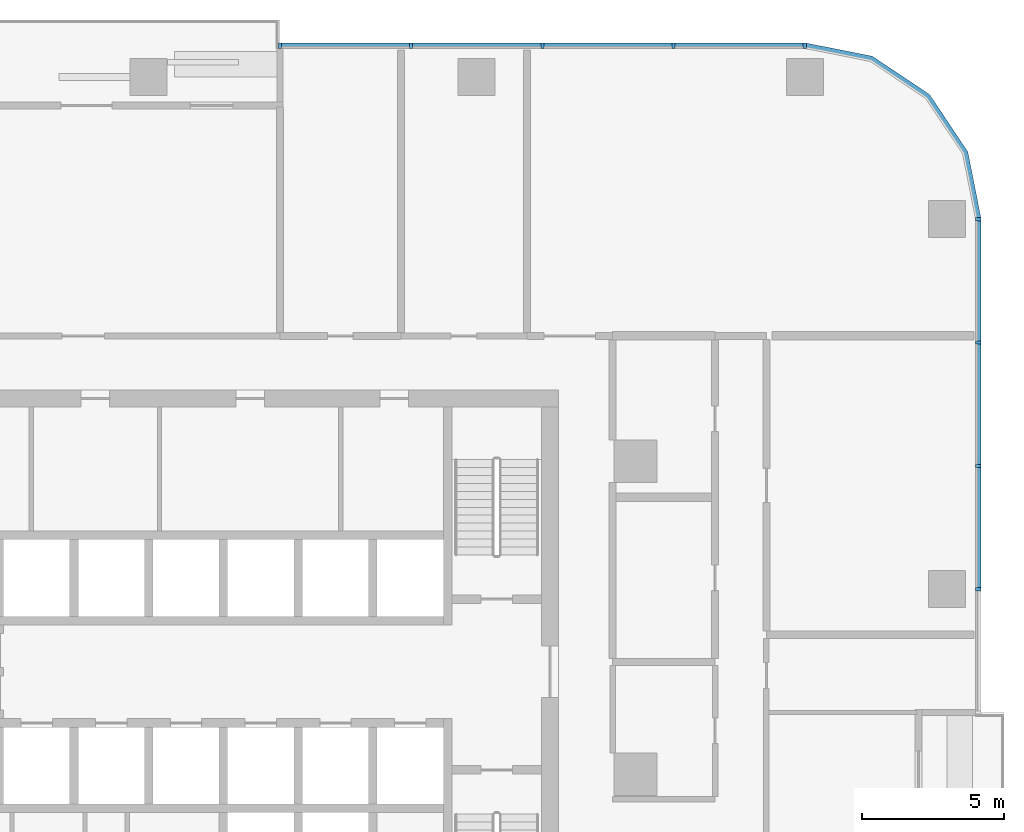
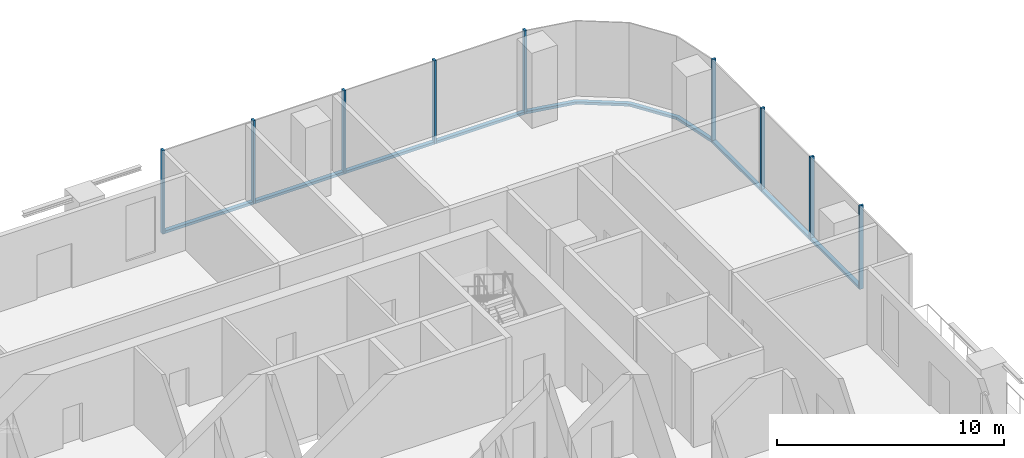
# One storey, part 5 of 14: 17 members, 3 elements without a shape of their own.
"""IFC4 building model written with IfcOpenShell, lengths in metres."""

from ifc_helpers import new_model, si_unit, direction, frame, origin, origin_2d, place, context, subcontext, project, spatial, polyline, rectangle, outline, extrude, material, material_profile, profile_set, type_object, element, aggregate, save


model = new_model("IFC4")

# Units and contexts
model_context = context("Model", 3, precision=1e-05, world=origin(), true_north=direction((0.0, 1.0)))
body_context = subcontext(model_context, "Body", "Model", "MODEL_VIEW")
ifc_project = project(units=[si_unit("LENGTHUNIT", "METRE"), si_unit("AREAUNIT", "SQUARE_METRE"), si_unit("VOLUMEUNIT", "CUBIC_METRE"), si_unit("PLANEANGLEUNIT", "RADIAN"), si_unit("MASSUNIT", "GRAM", prefix="KILO")], contexts=[model_context])

# Site, building, storey
site_placement = place(None, origin())
site = spatial("IfcSite", under=ifc_project, at=site_placement, CompositionType="ELEMENT")
building_placement = place(site_placement, origin())
building = spatial("IfcBuilding", under=site, at=building_placement, Name="Mopane Tessera Tower", CompositionType="ELEMENT")
storey_placement = place(building_placement, frame((0.0, 0.0, 130.60009765625)))
storey = spatial("IfcBuildingStorey", under=building, at=storey_placement, Name="L26", CompositionType="ELEMENT", Elevation=130.60009765625)

# Curtain wall, members
ifc_material_1 = material(Name="Aluminium frame", Category="aluminium")
curtain_wall_type = type_object("IfcCurtainWallType", Name="Lower tower unitised wall", PredefinedType="NOTDEFINED", material=ifc_material_1)
curtain_wall_1_placement = place(storey_placement, origin())
curtain_wall_1 = element("IfcCurtainWall", 1, at=curtain_wall_1_placement, inside=storey, type_object=curtain_wall_type, Name="e:cw:L26:E:5", PredefinedType="NOTDEFINED")
ifc_material_2 = material(Name="Aluminium frame", Category="aluminium")
ifc_material_profile_1 = material_profile(ifc_material_2, rectangle(XDim=0.110107421875, YDim=0.199951171875, at=origin_2d()))
ifc_profile_set_1 = profile_set([ifc_material_profile_1], Name="Aluminium frame")
member_type_1 = type_object("IfcMemberType", Name="Aluminium mullion 110 x 200", PredefinedType="MULLION", material=ifc_profile_set_1)
member_1_placement = place(storey_placement, frame((29.14990234375, 6.5, -0.4501953125), z_axis=(0.0, 0.0, 1.0), x_axis=(0.0, 1.0, 0.0)))
member_1 = element("IfcMember", 2, at=member_1_placement, type_object=member_type_1, Name="e:cw:L26:E:5:mu6", PredefinedType="MULLION", context=body_context, shape_type="SweptSolid", body=[
    extrude(rectangle(XDim=0.110107421875, YDim=0.199951171875, at=origin_2d()), origin(), (0.0, 0.0, 1.0), 4.5),
])
member_2_placement = place(storey_placement, frame((29.14990234375, 10.833251953125, -0.4501953125), z_axis=(0.0, 0.0, 1.0), x_axis=(0.0, 1.0, 0.0)))
member_2 = element("IfcMember", 3, at=member_2_placement, type_object=member_type_1, Name="e:cw:L26:E:5:mu7", PredefinedType="MULLION", context=body_context, shape_type="SweptSolid", body=[
    extrude(rectangle(XDim=0.110107421875, YDim=0.199951171875, at=origin_2d()), origin(), (0.0, 0.0, 1.0), 4.5),
])
member_3_placement = place(storey_placement, frame((29.14990234375, 15.166748046875, -0.4501953125), z_axis=(0.0, 0.0, 1.0), x_axis=(0.0, 1.0, 0.0)))
member_3 = element("IfcMember", 4, at=member_3_placement, type_object=member_type_1, Name="e:cw:L26:E:5:mu8", PredefinedType="MULLION", context=body_context, shape_type="SweptSolid", body=[
    extrude(rectangle(XDim=0.110107421875, YDim=0.199951171875, at=origin_2d()), origin(), (0.0, 0.0, 1.0), 4.5),
])
member_4_placement = place(storey_placement, frame((29.14990234375, 19.5, -0.4501953125), z_axis=(0.0, 0.0, 1.0), x_axis=(0.0, 1.0, 0.0)))
member_4 = element("IfcMember", 5, at=member_4_placement, type_object=member_type_1, Name="e:cw:L26:E:5:mu9", PredefinedType="MULLION", context=body_context, shape_type="SweptSolid", body=[
    extrude(rectangle(XDim=0.110107421875, YDim=0.199951171875, at=origin_2d()), origin(), (0.0, 0.0, 1.0), 4.5),
])

curtain_wall_2_placement = place(storey_placement, origin())
curtain_wall_2 = element("IfcCurtainWall", 6, at=curtain_wall_2_placement, inside=storey, type_object=curtain_wall_type, Name="e:cw:L26:N:0", PredefinedType="NOTDEFINED")
member_5_placement = place(storey_placement, frame((23.050048828125, 25.60009765625, -0.4501953125), z_axis=(0.0, 0.0, 1.0), x_axis=(-1.0, 0.0, 0.0)))
member_5 = element("IfcMember", 7, at=member_5_placement, type_object=member_type_1, Name="e:cw:L26:N:0:mu0", PredefinedType="MULLION", context=body_context, shape_type="SweptSolid", body=[
    extrude(rectangle(XDim=0.110107421875, YDim=0.199951171875, at=origin_2d()), origin(), (0.0, 0.0, 1.0), 4.5),
])
member_6_placement = place(storey_placement, frame((18.43994140625, 25.60009765625, -0.4501953125), z_axis=(0.0, 0.0, 1.0), x_axis=(-1.0, 0.0, 0.0)))
member_6 = element("IfcMember", 8, at=member_6_placement, type_object=member_type_1, Name="e:cw:L26:N:0:mu1", PredefinedType="MULLION", context=body_context, shape_type="SweptSolid", body=[
    extrude(rectangle(XDim=0.110107421875, YDim=0.199951171875, at=origin_2d()), origin(), (0.0, 0.0, 1.0), 4.5),
])
member_7_placement = place(storey_placement, frame((13.830078125, 25.60009765625, -0.4501953125), z_axis=(0.0, 0.0, 1.0), x_axis=(-1.0, 0.0, 0.0)))
member_7 = element("IfcMember", 9, at=member_7_placement, type_object=member_type_1, Name="e:cw:L26:N:0:mu2", PredefinedType="MULLION", context=body_context, shape_type="SweptSolid", body=[
    extrude(rectangle(XDim=0.110107421875, YDim=0.199951171875, at=origin_2d()), origin(), (0.0, 0.0, 1.0), 4.5),
])
member_8_placement = place(storey_placement, frame((9.219970703125, 25.60009765625, -0.4501953125), z_axis=(0.0, 0.0, 1.0), x_axis=(-1.0, 0.0, 0.0)))
member_8 = element("IfcMember", 10, at=member_8_placement, type_object=member_type_1, Name="e:cw:L26:N:0:mu3", PredefinedType="MULLION", context=body_context, shape_type="SweptSolid", body=[
    extrude(rectangle(XDim=0.110107421875, YDim=0.199951171875, at=origin_2d()), origin(), (0.0, 0.0, 1.0), 4.5),
])
member_9_placement = place(storey_placement, frame((4.610107421875, 25.60009765625, -0.4501953125), z_axis=(0.0, 0.0, 1.0), x_axis=(-1.0, 0.0, 0.0)))
member_9 = element("IfcMember", 11, at=member_9_placement, type_object=member_type_1, Name="e:cw:L26:N:0:mu4", PredefinedType="MULLION", context=body_context, shape_type="SweptSolid", body=[
    extrude(rectangle(XDim=0.110107421875, YDim=0.199951171875, at=origin_2d()), origin(), (0.0, 0.0, 1.0), 4.5),
])

# Member
ifc_material_3 = material(Name="Aluminium frame", Category="aluminium")
ifc_material_profile_2 = material_profile(ifc_material_3, rectangle(XDim=0.199951171875, YDim=0.139892578125, at=origin_2d()))
ifc_profile_set_2 = profile_set([ifc_material_profile_2], Name="Aluminium frame")
member_type_2 = type_object("IfcMemberType", Name="Aluminium transom 200 x 140", PredefinedType="USERDEFINED", material=ifc_profile_set_2)
member_10_placement = place(storey_placement, frame((29.14990234375, 6.554931640625, -0.380126953125), z_axis=(0.0, 1.0, 0.0), x_axis=(-1.0, 0.0, 0.0)))
member_10 = element("IfcMember", 12, at=member_10_placement, type_object=member_type_2, Name="e:cw:L26:E:5:tr6", ObjectType="TRANSOM", PredefinedType="USERDEFINED", context=body_context, shape_type="SweptSolid", body=[
    extrude(rectangle(XDim=0.199951171875, YDim=0.139892578125, at=origin_2d()), origin(), (0.0, 0.0, 1.0), 4.223388671875),
])

member_11_placement = place(storey_placement, frame((29.14990234375, 10.888427734375, -0.380126953125), z_axis=(0.0, 1.0, 0.0), x_axis=(-1.0, 0.0, 0.0)))
member_11 = element("IfcMember", 13, at=member_11_placement, type_object=member_type_2, Name="e:cw:L26:E:5:tr7", ObjectType="TRANSOM", PredefinedType="USERDEFINED", context=body_context, shape_type="SweptSolid", body=[
    extrude(rectangle(XDim=0.199951171875, YDim=0.139892578125, at=origin_2d()), origin(), (0.0, 0.0, 1.0), 4.22314453125),
])

member_12_placement = place(storey_placement, frame((29.14990234375, 15.2216796875, -0.380126953125), z_axis=(0.0, 1.0, 0.0), x_axis=(-1.0, 0.0, 0.0)))
member_12 = element("IfcMember", 14, at=member_12_placement, type_object=member_type_2, Name="e:cw:L26:E:5:tr8", ObjectType="TRANSOM", PredefinedType="USERDEFINED", context=body_context, shape_type="SweptSolid", body=[
    extrude(rectangle(XDim=0.199951171875, YDim=0.139892578125, at=origin_2d()), origin(), (0.0, 0.0, 1.0), 4.223388671875),
])

aggregate(curtain_wall_1, [member_1, member_2, member_3, member_4, member_10, member_11, member_12])

# Curtain wall, member
curtain_wall_3_placement = place(storey_placement, origin())
curtain_wall_3 = element("IfcCurtainWall", 15, at=curtain_wall_3_placement, inside=storey, type_object=curtain_wall_type, Name="e:cw:L26:CE", PredefinedType="NOTDEFINED")
member_13_placement = place(storey_placement, frame((0.0, 0.0, -0.4501953125)))
member_13 = element("IfcMember", 16, at=member_13_placement, type_object=member_type_2, Name="e:cw:L26:CE:tr", ObjectType="TRANSOM", PredefinedType="USERDEFINED", context=body_context, shape_type="SweptSolid", body=[
    extrude(outline(polyline([(29.050048828125, 19.5), (28.59326171875, 21.796142578125), (27.292724609375, 23.74267578125), (25.34619140625, 25.043212890625), (23.050048828125, 25.5), (23.050048828125, 25.699951171875), (25.422607421875, 25.22802734375), (27.43408203125, 23.884033203125), (28.778076171875, 21.87255859375), (29.25, 19.5), (29.050048828125, 19.5)])), origin(), (0.0, 0.0, 1.0), 0.14013671875),
])
aggregate(curtain_wall_3, [member_13])

# Member
member_14_placement = place(storey_placement, frame((22.9951171875, 25.60009765625, -0.380126953125), z_axis=(-1.0, 0.0, 0.0), x_axis=(0.0, -1.0, 0.0)))
member_14 = element("IfcMember", 17, at=member_14_placement, type_object=member_type_2, Name="e:cw:L26:N:0:tr0", ObjectType="TRANSOM", PredefinedType="USERDEFINED", context=body_context, shape_type="SweptSolid", body=[
    extrude(rectangle(XDim=0.199951171875, YDim=0.139892578125, at=origin_2d()), origin(), (0.0, 0.0, 1.0), 4.5),
])

member_15_placement = place(storey_placement, frame((18.385009765625, 25.60009765625, -0.380126953125), z_axis=(-1.0, 0.0, 0.0), x_axis=(0.0, -1.0, 0.0)))
member_15 = element("IfcMember", 18, at=member_15_placement, type_object=member_type_2, Name="e:cw:L26:N:0:tr1", ObjectType="TRANSOM", PredefinedType="USERDEFINED", context=body_context, shape_type="SweptSolid", body=[
    extrude(rectangle(XDim=0.199951171875, YDim=0.139892578125, at=origin_2d()), origin(), (0.0, 0.0, 1.0), 4.5),
])

member_16_placement = place(storey_placement, frame((13.77490234375, 25.60009765625, -0.380126953125), z_axis=(-1.0, 0.0, 0.0), x_axis=(0.0, -1.0, 0.0)))
member_16 = element("IfcMember", 19, at=member_16_placement, type_object=member_type_2, Name="e:cw:L26:N:0:tr2", ObjectType="TRANSOM", PredefinedType="USERDEFINED", context=body_context, shape_type="SweptSolid", body=[
    extrude(rectangle(XDim=0.199951171875, YDim=0.139892578125, at=origin_2d()), origin(), (0.0, 0.0, 1.0), 4.5),
])

member_17_placement = place(storey_placement, frame((9.1650390625, 25.60009765625, -0.380126953125), z_axis=(-1.0, 0.0, 0.0), x_axis=(0.0, -1.0, 0.0)))
member_17 = element("IfcMember", 20, at=member_17_placement, type_object=member_type_2, Name="e:cw:L26:N:0:tr3", ObjectType="TRANSOM", PredefinedType="USERDEFINED", context=body_context, shape_type="SweptSolid", body=[
    extrude(rectangle(XDim=0.199951171875, YDim=0.139892578125, at=origin_2d()), origin(), (0.0, 0.0, 1.0), 4.5),
])

aggregate(curtain_wall_2, [member_5, member_6, member_7, member_8, member_9, member_14, member_15, member_16, member_17])

save(model, "model.ifc")
